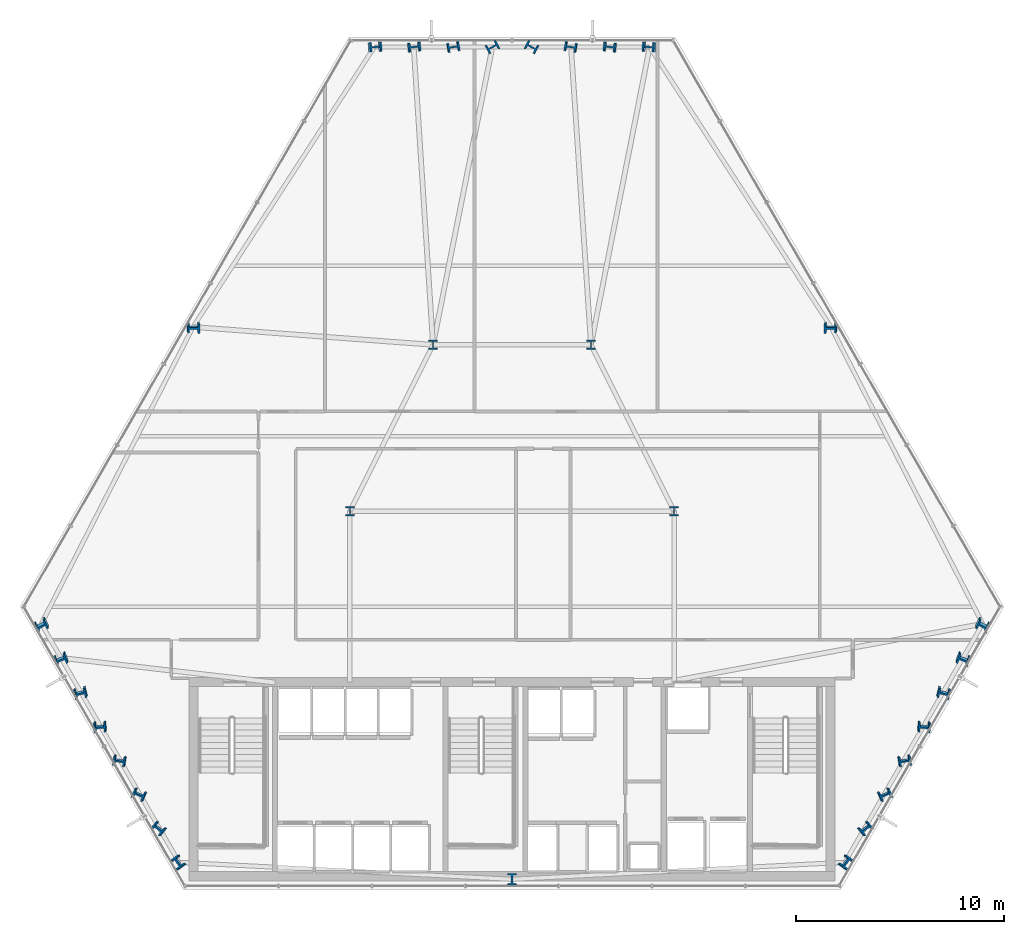
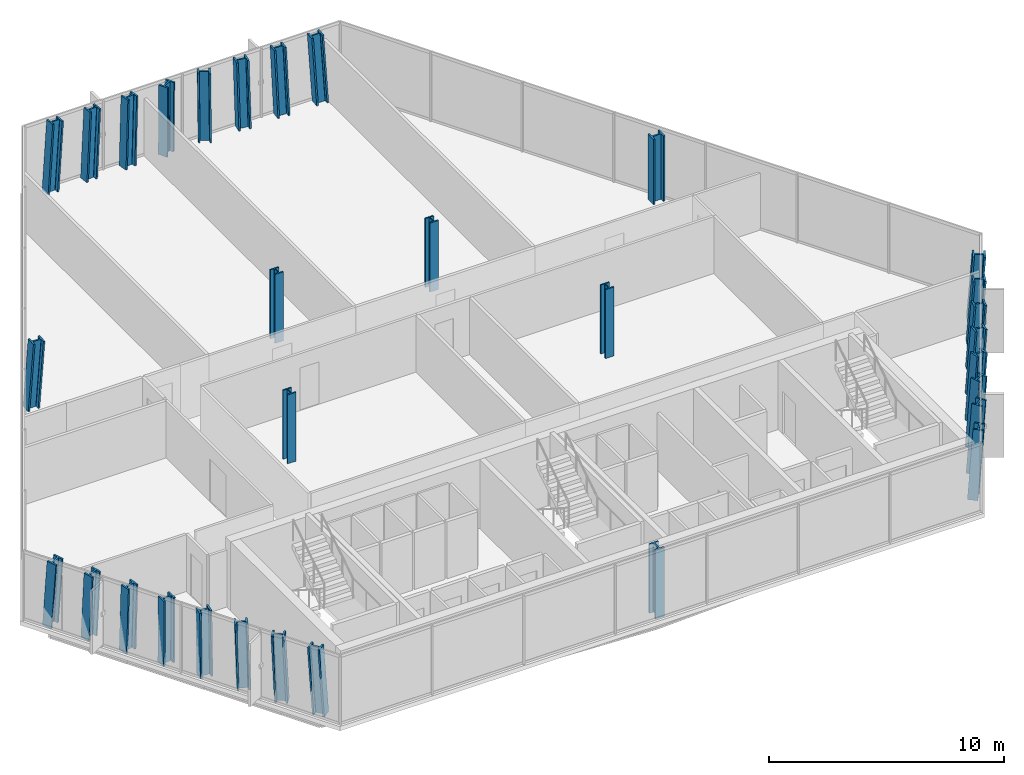
# One storey, part 1 of 32: 31 columns.
"""IFC4 building model written with IfcOpenShell, lengths in metres."""

from ifc_helpers import new_model, si_unit, direction, frame, origin, origin_2d, place, context, subcontext, project, spatial, i_section, extrude, material, material_profile, profile_set, type_object, element, save


model = new_model("IFC4")

# Units and contexts
model_context = context("Model", 3, precision=1e-05, world=origin(), true_north=direction((0.0, 1.0)))
body_context = subcontext(model_context, "Body", "Model", "MODEL_VIEW")
ifc_project = project(units=[si_unit("LENGTHUNIT", "METRE"), si_unit("AREAUNIT", "SQUARE_METRE"), si_unit("VOLUMEUNIT", "CUBIC_METRE"), si_unit("PLANEANGLEUNIT", "RADIAN"), si_unit("MASSUNIT", "GRAM", prefix="KILO")], contexts=[model_context])

# Site, building, storey
site_placement = place(None, origin())
site = spatial("IfcSite", under=ifc_project, at=site_placement, CompositionType="ELEMENT")
building_placement = place(site_placement, origin())
building = spatial("IfcBuilding", under=site, at=building_placement, Name="Ndaravel Arena Tower", CompositionType="ELEMENT")
storey_placement = place(building_placement, frame((0.0, 0.0, 66.39990234375)))
storey = spatial("IfcBuildingStorey", under=building, at=storey_placement, Name="L14", CompositionType="ELEMENT", Elevation=66.39990234375)

# Columns
ifc_material_1 = material(Name="Steel S460", Category="steel")
ifc_material_profile_1 = material_profile(ifc_material_1, i_section(OverallWidth=0.41845703125, OverallDepth=0.45556640625, WebThickness=0.0419921875, FlangeThickness=0.0673828125, FilletRadius=0.01513671875, at=origin_2d()), Name="UC 356x406x551")
ifc_profile_set_1 = profile_set([ifc_material_profile_1], Name="Steel S460")
column_type_1 = type_object("IfcColumnType", Name="COL-INT-UC551", PredefinedType="COLUMN", material=ifc_profile_set_1)
for number, where, z_axis, x_axis, name in (
    (1, (34.199951171875, 23.199951171875, 0.0), (0.0, 0.0, 1.0), (1.0, 0.0, 0.0), "L14 Interior Spine Column IC-01"),
    (2, (49.800048828125, 23.199951171875, 0.0), (0.0, 0.0, 1.0), (1.0, 0.0, 0.0), "L14 Interior Spine Column IC-02"),
    (3, (38.199951171875, 31.199951171875, 0.0), (0.0, 0.0, 1.0), (1.0, 0.0, 0.0), "L14 Interior Spine Column IC-03"),
    (4, (45.800048828125, 31.199951171875, 0.0), (0.0, 0.0, 1.0), (1.0, 0.0, 0.0), "L14 Interior Spine Column IC-04"),
):
    element("IfcColumn", number, at=place(storey_placement, frame(where, z_axis=z_axis, x_axis=x_axis)), inside=storey, type_object=column_type_1, Name=name, PredefinedType="COLUMN", context=body_context, shape_type="SweptSolid", body=[
        extrude(i_section(OverallWidth=0.41845703125, OverallDepth=0.45556640625, WebThickness=0.0419921875, FlangeThickness=0.0673828125, FilletRadius=0.01513671875, at=origin_2d()), origin(), (0.0, 0.0, 1.0), 3.580078125),
    ])
ifc_material_2 = material(Name="Steel S460", Category="steel")
ifc_material_profile_2 = material_profile(ifc_material_2, i_section(OverallWidth=0.4541015625, OverallDepth=0.569091796875, WebThickness=0.077880859375, FlangeThickness=0.080078125, FilletRadius=0.014892578125, at=origin_2d()), Name="HD 400x1086")
ifc_profile_set_2 = profile_set([ifc_material_profile_2], Name="Steel S460")
column_type_2 = type_object("IfcColumnType", Name="COL-TUBE-HD1086", PredefinedType="COLUMN", material=ifc_profile_set_2)
column_1_placement = place(storey_placement, frame((42.0, 5.47998046875, 0.0), z_axis=(0.0, 0.0, 1.0), x_axis=(1.0, 0.0, 0.0)))
element("IfcColumn", 5, at=column_1_placement, inside=storey, type_object=column_type_2, Name="L14 Framed Tube Column TC-01", PredefinedType="COLUMN", context=body_context, shape_type="SweptSolid", body=[
    extrude(i_section(OverallWidth=0.4541015625, OverallDepth=0.569091796875, WebThickness=0.077880859375, FlangeThickness=0.080078125, FilletRadius=0.014892578125, at=origin_2d()), origin(), (0.0, 0.0, 1.0), 3.580078125),
])
column_2_placement = place(storey_placement, frame((58.0234375, 6.299560546875, 0.0), z_axis=(0.07331312556, -0.008093007367, 0.997276134705), x_axis=(-0.803590266341, 0.591745258098, 0.063876704366)))
element("IfcColumn", 6, at=column_2_placement, inside=storey, type_object=column_type_2, Name="L14 Framed Tube Column TC-02", PredefinedType="COLUMN", context=body_context, shape_type="SweptSolid", body=[
    extrude(i_section(OverallWidth=0.4541015625, OverallDepth=0.569091796875, WebThickness=0.077880859375, FlangeThickness=0.080078125, FilletRadius=0.014892578125, at=origin_2d()), origin(), (0.0, 0.0, 1.0), 3.58984375),
])
for number, where, z_axis, x_axis, name in (
    (7, (58.969970703125, 7.93896484375, 0.0), (0.06388442527, -0.024424396882, 0.997658372914), (-0.628470907455, 0.775574619405, 0.059231142285), "L14 Framed Tube Column TC-03"),
    (8, (59.916259765625, 9.578125, 0.0), (0.054497097364, -0.040685723126, 0.997684688823), (-0.3932365913, 0.917548928939, 0.058897761125), "L14 Framed Tube Column TC-04"),
):
    element("IfcColumn", number, at=place(storey_placement, frame(where, z_axis=z_axis, x_axis=x_axis)), inside=storey, type_object=column_type_2, Name=name, PredefinedType="COLUMN", context=body_context, shape_type="SweptSolid", body=[
        extrude(i_section(OverallWidth=0.4541015625, OverallDepth=0.569091796875, WebThickness=0.077880859375, FlangeThickness=0.080078125, FilletRadius=0.014892578125, at=origin_2d()), origin(), (0.0, 0.0, 1.0), 3.58837890625),
    ])
column_3_placement = place(storey_placement, frame((60.86279296875, 11.21728515625, 0.0), z_axis=(0.045093552429, -0.056860044993, 0.997363277253), x_axis=(-0.144950827588, 0.987440827438, 0.062847990346)))
element("IfcColumn", 9, at=column_3_placement, inside=storey, type_object=column_type_2, Name="L14 Framed Tube Column TC-05", PredefinedType="COLUMN", context=body_context, shape_type="SweptSolid", body=[
    extrude(i_section(OverallWidth=0.4541015625, OverallDepth=0.569091796875, WebThickness=0.077880859375, FlangeThickness=0.080078125, FilletRadius=0.014892578125, at=origin_2d()), origin(), (0.0, 0.0, 1.0), 3.589599609375),
])
column_4_placement = place(storey_placement, frame((61.80908203125, 12.856689453125, 0.0), z_axis=(0.035751111282, -0.073133451977, 0.996681170808), x_axis=(0.070120594689, 0.995044280112, 0.07049810506)))
element("IfcColumn", 10, at=column_4_placement, inside=storey, type_object=column_type_2, Name="L14 Framed Tube Column TC-06", PredefinedType="COLUMN", context=body_context, shape_type="SweptSolid", body=[
    extrude(i_section(OverallWidth=0.4541015625, OverallDepth=0.569091796875, WebThickness=0.077880859375, FlangeThickness=0.080078125, FilletRadius=0.014892578125, at=origin_2d()), origin(), (0.0, 0.0, 1.0), 3.592041015625),
])
column_5_placement = place(storey_placement, frame((62.755615234375, 14.495849609375, 0.0), z_axis=(0.026276607006, -0.089286145253, 0.995659341437), x_axis=(0.236220781659, 0.968350600483, 0.080603082183)))
element("IfcColumn", 11, at=column_5_placement, inside=storey, type_object=column_type_2, Name="L14 Framed Tube Column TC-07", PredefinedType="COLUMN", context=body_context, shape_type="SweptSolid", body=[
    extrude(i_section(OverallWidth=0.4541015625, OverallDepth=0.569091796875, WebThickness=0.077880859375, FlangeThickness=0.080078125, FilletRadius=0.014892578125, at=origin_2d()), origin(), (0.0, 0.0, 1.0), 3.595703125),
])
column_6_placement = place(storey_placement, frame((63.701904296875, 16.135009765625, 0.0), z_axis=(0.016883520964, -0.105301638785, 0.994296993654), x_axis=(0.357373446974, 0.9293837222, 0.09235862877)))
element("IfcColumn", 12, at=column_6_placement, inside=storey, type_object=column_type_2, Name="L14 Framed Tube Column TC-08", PredefinedType="COLUMN", context=body_context, shape_type="SweptSolid", body=[
    extrude(i_section(OverallWidth=0.4541015625, OverallDepth=0.569091796875, WebThickness=0.077880859375, FlangeThickness=0.080078125, FilletRadius=0.014892578125, at=origin_2d()), origin(), (0.0, 0.0, 1.0), 3.6005859375),
])
column_7_placement = place(storey_placement, frame((64.6484375, 17.7744140625, 0.0), z_axis=(0.00751338836, -0.121364912877, 0.99257952171), x_axis=(0.445930736682, 0.88885114517, 0.105306314206)))
element("IfcColumn", 13, at=column_7_placement, inside=storey, type_object=column_type_2, Name="L14 Framed Tube Column TC-09", PredefinedType="COLUMN", context=body_context, shape_type="SweptSolid", body=[
    extrude(i_section(OverallWidth=0.4541015625, OverallDepth=0.569091796875, WebThickness=0.077880859375, FlangeThickness=0.080078125, FilletRadius=0.014892578125, at=origin_2d()), origin(), (0.0, 0.0, 1.0), 3.60693359375),
])
column_8_placement = place(storey_placement, frame((57.346435546875, 32.060791015625, 0.0), z_axis=(-0.036116494653, -0.062574717666, 0.997386586797), x_axis=(-0.001263659041, 0.998039781676, 0.062569939729)))
element("IfcColumn", 14, at=column_8_placement, inside=storey, type_object=column_type_2, Name="L14 Framed Tube Column TC-10", PredefinedType="COLUMN", context=body_context, shape_type="SweptSolid", body=[
    extrude(i_section(OverallWidth=0.4541015625, OverallDepth=0.569091796875, WebThickness=0.077880859375, FlangeThickness=0.080078125, FilletRadius=0.014892578125, at=origin_2d()), origin(), (0.0, 0.0, 1.0), 3.58935546875),
])
column_9_placement = place(storey_placement, frame((48.625, 45.52783203125, 0.0), z_axis=(-0.065732329524, 0.004967349954, 0.997824927675), x_axis=(-0.075354499968, -0.997156807796, 0.0)))
element("IfcColumn", 15, at=column_9_placement, inside=storey, type_object=column_type_2, Name="L14 Framed Tube Column TC-11", PredefinedType="COLUMN", context=body_context, shape_type="SweptSolid", body=[
    extrude(i_section(OverallWidth=0.4541015625, OverallDepth=0.569091796875, WebThickness=0.077880859375, FlangeThickness=0.080078125, FilletRadius=0.014892578125, at=origin_2d()), origin(), (0.0, 0.0, 1.0), 3.587890625),
])
column_10_placement = place(storey_placement, frame((46.732177734375, 45.52783203125, 0.0), z_axis=(-0.047001424383, 0.004972614464, 0.998882445141), x_axis=(-0.105209931147, -0.994450034133, 0.0)))
element("IfcColumn", 16, at=column_10_placement, inside=storey, type_object=column_type_2, Name="L14 Framed Tube Column TC-12", PredefinedType="COLUMN", context=body_context, shape_type="SweptSolid", body=[
    extrude(i_section(OverallWidth=0.4541015625, OverallDepth=0.569091796875, WebThickness=0.077880859375, FlangeThickness=0.080078125, FilletRadius=0.014892578125, at=origin_2d()), origin(), (0.0, 0.0, 1.0), 3.583984375),
])
column_11_placement = place(storey_placement, frame((44.83935546875, 45.52783203125, 0.0), z_axis=(-0.028220811623, 0.00497613345, 0.999589327618), x_axis=(-0.173649631067, -0.984807496737, 0.0)))
element("IfcColumn", 17, at=column_11_placement, inside=storey, type_object=column_type_2, Name="L14 Framed Tube Column TC-13", PredefinedType="COLUMN", context=body_context, shape_type="SweptSolid", body=[
    extrude(i_section(OverallWidth=0.4541015625, OverallDepth=0.569091796875, WebThickness=0.077880859375, FlangeThickness=0.080078125, FilletRadius=0.014892578125, at=origin_2d()), origin(), (0.0, 0.0, 1.0), 3.58154296875),
])
for number, where, z_axis, x_axis, name in (
    (18, (42.9462890625, 45.52783203125, 0.0), (-0.009410268674, 0.004977895748, 0.999943332093), (-0.467593392823, -0.883943674104, 0.0), "L14 Framed Tube Column TC-14"),
    (19, (41.0537109375, 45.52783203125, 0.0), (0.009410268674, 0.004977895748, 0.999943332093), (-0.467593392823, 0.883943674104, 0.0), "L14 Framed Tube Column TC-15"),
):
    element("IfcColumn", number, at=place(storey_placement, frame(where, z_axis=z_axis, x_axis=x_axis)), inside=storey, type_object=column_type_2, Name=name, PredefinedType="COLUMN", context=body_context, shape_type="SweptSolid", body=[
        extrude(i_section(OverallWidth=0.4541015625, OverallDepth=0.569091796875, WebThickness=0.077880859375, FlangeThickness=0.080078125, FilletRadius=0.014892578125, at=origin_2d()), origin(), (0.0, 0.0, 1.0), 3.580322265625),
    ])
column_12_placement = place(storey_placement, frame((39.16064453125, 45.52783203125, 0.0), z_axis=(0.028220811623, 0.00497613345, 0.999589327618), x_axis=(-0.173649631067, 0.984807496737, 0.0)))
element("IfcColumn", 20, at=column_12_placement, inside=storey, type_object=column_type_2, Name="L14 Framed Tube Column TC-16", PredefinedType="COLUMN", context=body_context, shape_type="SweptSolid", body=[
    extrude(i_section(OverallWidth=0.4541015625, OverallDepth=0.569091796875, WebThickness=0.077880859375, FlangeThickness=0.080078125, FilletRadius=0.014892578125, at=origin_2d()), origin(), (0.0, 0.0, 1.0), 3.58154296875),
])
column_13_placement = place(storey_placement, frame((37.267822265625, 45.52783203125, 0.0), z_axis=(0.047001424383, 0.004972614464, 0.998882445141), x_axis=(-0.105209931147, 0.994450034133, 0.0)))
element("IfcColumn", 21, at=column_13_placement, inside=storey, type_object=column_type_2, Name="L14 Framed Tube Column TC-17", PredefinedType="COLUMN", context=body_context, shape_type="SweptSolid", body=[
    extrude(i_section(OverallWidth=0.4541015625, OverallDepth=0.569091796875, WebThickness=0.077880859375, FlangeThickness=0.080078125, FilletRadius=0.014892578125, at=origin_2d()), origin(), (0.0, 0.0, 1.0), 3.583984375),
])
column_14_placement = place(storey_placement, frame((35.375, 45.52783203125, 0.0), z_axis=(0.065732329524, 0.004967349954, 0.997824927675), x_axis=(-0.075354499968, 0.997156807796, 0.0)))
element("IfcColumn", 22, at=column_14_placement, inside=storey, type_object=column_type_2, Name="L14 Framed Tube Column TC-18", PredefinedType="COLUMN", context=body_context, shape_type="SweptSolid", body=[
    extrude(i_section(OverallWidth=0.4541015625, OverallDepth=0.569091796875, WebThickness=0.077880859375, FlangeThickness=0.080078125, FilletRadius=0.014892578125, at=origin_2d()), origin(), (0.0, 0.0, 1.0), 3.587890625),
])
column_15_placement = place(storey_placement, frame((26.653564453125, 32.060791015625, 0.0), z_axis=(0.036116494653, -0.062574717666, 0.997386586797), x_axis=(0.001263659041, 0.998039781676, 0.062569939729)))
element("IfcColumn", 23, at=column_15_placement, inside=storey, type_object=column_type_2, Name="L14 Framed Tube Column TC-19", PredefinedType="COLUMN", context=body_context, shape_type="SweptSolid", body=[
    extrude(i_section(OverallWidth=0.4541015625, OverallDepth=0.569091796875, WebThickness=0.077880859375, FlangeThickness=0.080078125, FilletRadius=0.014892578125, at=origin_2d()), origin(), (0.0, 0.0, 1.0), 3.58935546875),
])
column_16_placement = place(storey_placement, frame((19.3515625, 17.7744140625, 0.0), z_axis=(-0.00751338836, -0.121364912877, 0.99257952171), x_axis=(-0.445930736682, 0.88885114517, 0.105306314206)))
element("IfcColumn", 24, at=column_16_placement, inside=storey, type_object=column_type_2, Name="L14 Framed Tube Column TC-20", PredefinedType="COLUMN", context=body_context, shape_type="SweptSolid", body=[
    extrude(i_section(OverallWidth=0.4541015625, OverallDepth=0.569091796875, WebThickness=0.077880859375, FlangeThickness=0.080078125, FilletRadius=0.014892578125, at=origin_2d()), origin(), (0.0, 0.0, 1.0), 3.60693359375),
])
column_17_placement = place(storey_placement, frame((20.298095703125, 16.135009765625, 0.0), z_axis=(-0.016883520964, -0.105301638785, 0.994296993654), x_axis=(-0.357373446974, 0.9293837222, 0.09235862877)))
element("IfcColumn", 25, at=column_17_placement, inside=storey, type_object=column_type_2, Name="L14 Framed Tube Column TC-21", PredefinedType="COLUMN", context=body_context, shape_type="SweptSolid", body=[
    extrude(i_section(OverallWidth=0.4541015625, OverallDepth=0.569091796875, WebThickness=0.077880859375, FlangeThickness=0.080078125, FilletRadius=0.014892578125, at=origin_2d()), origin(), (0.0, 0.0, 1.0), 3.6005859375),
])
column_18_placement = place(storey_placement, frame((21.244384765625, 14.495849609375, 0.0), z_axis=(-0.026276607006, -0.089286145253, 0.995659341437), x_axis=(-0.236220781659, 0.968350600483, 0.080603082183)))
element("IfcColumn", 26, at=column_18_placement, inside=storey, type_object=column_type_2, Name="L14 Framed Tube Column TC-22", PredefinedType="COLUMN", context=body_context, shape_type="SweptSolid", body=[
    extrude(i_section(OverallWidth=0.4541015625, OverallDepth=0.569091796875, WebThickness=0.077880859375, FlangeThickness=0.080078125, FilletRadius=0.014892578125, at=origin_2d()), origin(), (0.0, 0.0, 1.0), 3.595703125),
])
column_19_placement = place(storey_placement, frame((22.19091796875, 12.856689453125, 0.0), z_axis=(-0.035751111282, -0.073133451977, 0.996681170808), x_axis=(-0.070120594689, 0.995044280112, 0.07049810506)))
element("IfcColumn", 27, at=column_19_placement, inside=storey, type_object=column_type_2, Name="L14 Framed Tube Column TC-23", PredefinedType="COLUMN", context=body_context, shape_type="SweptSolid", body=[
    extrude(i_section(OverallWidth=0.4541015625, OverallDepth=0.569091796875, WebThickness=0.077880859375, FlangeThickness=0.080078125, FilletRadius=0.014892578125, at=origin_2d()), origin(), (0.0, 0.0, 1.0), 3.592041015625),
])
column_20_placement = place(storey_placement, frame((23.13720703125, 11.21728515625, 0.0), z_axis=(-0.045093552429, -0.056860044993, 0.997363277253), x_axis=(0.144950827588, 0.987440827438, 0.062847990346)))
element("IfcColumn", 28, at=column_20_placement, inside=storey, type_object=column_type_2, Name="L14 Framed Tube Column TC-24", PredefinedType="COLUMN", context=body_context, shape_type="SweptSolid", body=[
    extrude(i_section(OverallWidth=0.4541015625, OverallDepth=0.569091796875, WebThickness=0.077880859375, FlangeThickness=0.080078125, FilletRadius=0.014892578125, at=origin_2d()), origin(), (0.0, 0.0, 1.0), 3.589599609375),
])
for number, where, z_axis, x_axis, name in (
    (29, (24.083740234375, 9.578125, 0.0), (-0.054497097364, -0.040685723126, 0.997684688823), (0.3932365913, 0.917548928939, 0.058897761125), "L14 Framed Tube Column TC-25"),
    (30, (25.030029296875, 7.93896484375, 0.0), (-0.06388442527, -0.024424396882, 0.997658372914), (0.628470907455, 0.775574619405, 0.059231142285), "L14 Framed Tube Column TC-26"),
):
    element("IfcColumn", number, at=place(storey_placement, frame(where, z_axis=z_axis, x_axis=x_axis)), inside=storey, type_object=column_type_2, Name=name, PredefinedType="COLUMN", context=body_context, shape_type="SweptSolid", body=[
        extrude(i_section(OverallWidth=0.4541015625, OverallDepth=0.569091796875, WebThickness=0.077880859375, FlangeThickness=0.080078125, FilletRadius=0.014892578125, at=origin_2d()), origin(), (0.0, 0.0, 1.0), 3.58837890625),
    ])
column_21_placement = place(storey_placement, frame((25.9765625, 6.299560546875, 0.0), z_axis=(-0.07331312556, -0.008093007367, 0.997276134705), x_axis=(0.803590266341, 0.591745258098, 0.063876704366)))
element("IfcColumn", 31, at=column_21_placement, inside=storey, type_object=column_type_2, Name="L14 Framed Tube Column TC-27", PredefinedType="COLUMN", context=body_context, shape_type="SweptSolid", body=[
    extrude(i_section(OverallWidth=0.4541015625, OverallDepth=0.569091796875, WebThickness=0.077880859375, FlangeThickness=0.080078125, FilletRadius=0.014892578125, at=origin_2d()), origin(), (0.0, 0.0, 1.0), 3.58984375),
])

save(model, "model.ifc")
